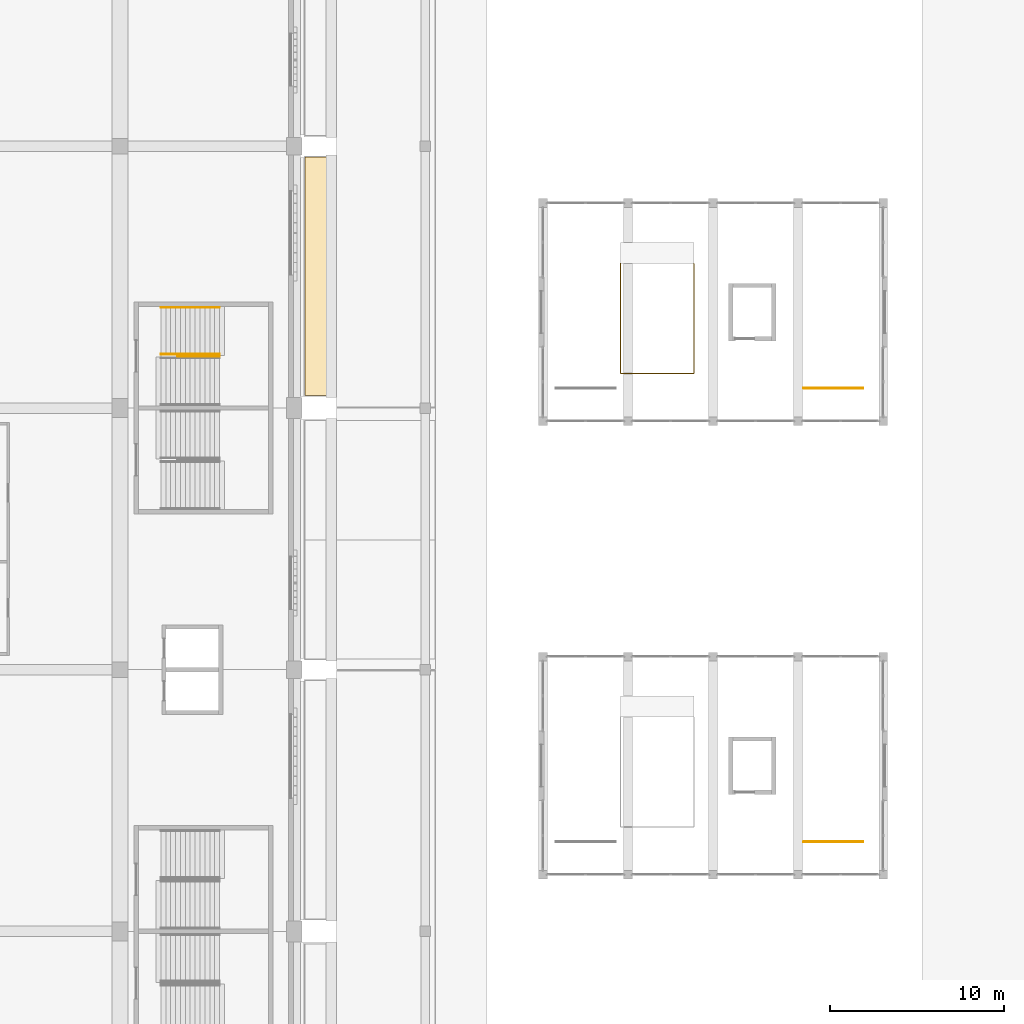
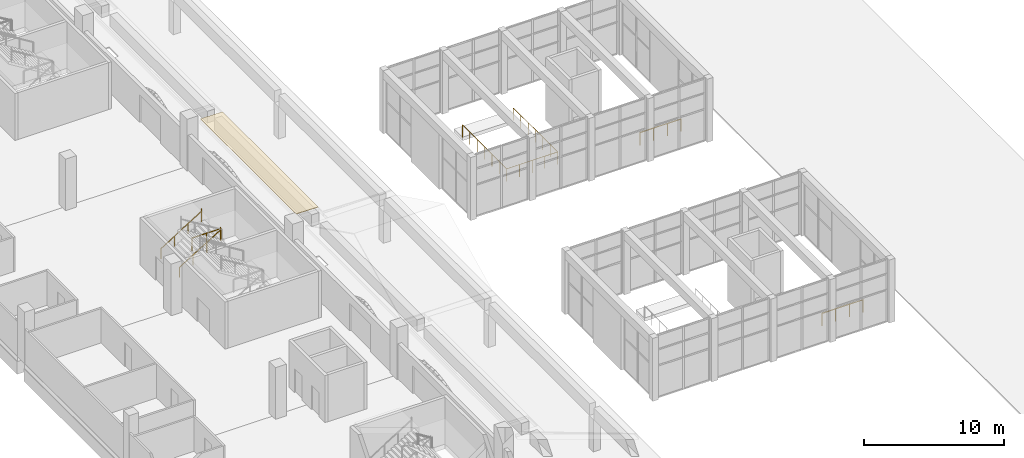
# One storey, part 163 of 175: 6 railings, 1 covering.
"""IFC4 building model written with IfcOpenShell, lengths in metres."""

from ifc_helpers import new_model, si_unit, direction, frame, origin, origin_2d, place, context, subcontext, project, spatial, polyline, circle, outline, extrude, material, layer, layer_set, type_object, element, save


model = new_model("IFC4")

# Units and contexts
model_context = context("Model", 3, precision=1e-05, world=origin(), true_north=direction((0.0, 1.0)))
body_context = subcontext(model_context, "Body", "Model", "MODEL_VIEW")
ifc_project = project(units=[si_unit("LENGTHUNIT", "METRE"), si_unit("AREAUNIT", "SQUARE_METRE"), si_unit("VOLUMEUNIT", "CUBIC_METRE"), si_unit("PLANEANGLEUNIT", "RADIAN"), si_unit("MASSUNIT", "GRAM", prefix="KILO")], contexts=[model_context])

# Site, building, storey
site_placement = place(None, origin())
site = spatial("IfcSite", under=ifc_project, at=site_placement, CompositionType="ELEMENT")
building_placement = place(site_placement, origin())
building = spatial("IfcBuilding", under=site, at=building_placement, Name="Ogive Plaza Stadium", CompositionType="ELEMENT")
storey_placement = place(building_placement, origin())
storey = spatial("IfcBuildingStorey", under=building, at=storey_placement, Name="L00", CompositionType="ELEMENT", Elevation=0.0)

# Covering
ifc_material_1 = material(Name="Zinc sheet", Category="metal")
ifc_layer = layer(ifc_material_1, 0.0400390625)
ifc_layer_set = layer_set([ifc_layer], Name="Arcade roof zinc 40")
covering_type = type_object("IfcCoveringType", Name="Arcade roof zinc 40", PredefinedType="ROOFING", material=ifc_layer_set)
covering_placement = place(storey_placement, frame((84.60009765625, 8.2099609375, 4.260009765625), z_axis=(0.016096653187, 0.0, 0.999870440485), x_axis=(0.999870440485, 0.0, -0.016096653187)))
element("IfcCovering", 1, at=covering_placement, inside=storey, type_object=covering_type, Name="Arcade roof covering 1 bay 3", PredefinedType="ROOFING", context=body_context, shape_type="SweptSolid", body=[
    extrude(outline(polyline([(0.0, 0.0), (1.820060024843635, 0.0), (1.820060024843635, 13.679931640625), (0.0, 13.679931640625), (0.0, 0.0)])), origin(), (0.0, 0.0, -1.0), 0.0400390625),
])

# Railings
ifc_material_2 = material(Name="Steel ASTM A572 Grade 50", Category="steel")
railing_type_1 = type_object("IfcRailingType", Name="Guard 1100", PredefinedType="GUARDRAIL", material=ifc_material_2)
railing_1_placement = place(storey_placement, frame((77.31005859375, 10.47509765625, 2.25)))
element("IfcRailing", 2, at=railing_1_placement, inside=storey, type_object=railing_type_1, Name="Stair well guard ST04B L00", PredefinedType="GUARDRAIL", context=body_context, shape_type="SweptSolid", body=[
    extrude(circle(Radius=0.02392578125, at=origin_2d()), frame((0.0, 0.0, 1.076171875), z_axis=(1.0, 0.0, 0.0), x_axis=(0.0, 1.0, 0.0)), (0.0, 0.0, 1.0), 2.39990234375),
    extrude(circle(Radius=0.02099609375, at=origin_2d()), origin(), (0.0, 0.0, 1.0), 1.052001953125),
    extrude(circle(Radius=0.02099609375, at=origin_2d()), frame((1.199951171875, 0.0, 0.0)), (0.0, 0.0, 1.0), 1.052001953125),
    extrude(circle(Radius=0.02099609375, at=origin_2d()), frame((2.39990234375, 0.0, 0.0)), (0.0, 0.0, 1.0), 1.052001953125),
])
ifc_material_3 = material(Name="Steel ASTM A572 Grade 50", Category="steel")
railing_type_2 = type_object("IfcRailingType", Name="Handrail 900", PredefinedType="HANDRAIL", material=ifc_material_3)
for number, where, name in (
    (3, (76.35009765625, 10.5849609375, 0.173095703125), "Handrail ST04B L00"),
    (4, (76.35009765625, 13.264892578125, 0.173095703125), "Handrail ST04B L00"),
):
    element("IfcRailing", number, at=place(storey_placement, frame(where)), inside=storey, type_object=railing_type_2, Name=name, PredefinedType="HANDRAIL", context=body_context, shape_type="SweptSolid", body=[
        extrude(circle(Radius=0.02392578125, at=origin_2d()), frame((0.0, 0.0, 0.8759765625), z_axis=(0.850606129759, 0.0, 0.525803396734), x_axis=(0.0, 1.0, 0.0)), (0.0, 0.0, 1.0), 3.949951171875),
        extrude(circle(Radius=0.02099609375, at=origin_2d()), origin(), (0.0, 0.0, 1.0), 0.851806640625),
        extrude(circle(Radius=0.02099609375, at=origin_2d()), frame((1.119873046875, 0.0, 0.6923828125)), (0.0, 0.0, 1.0), 0.851806640625),
        extrude(circle(Radius=0.02099609375, at=origin_2d()), frame((2.239990234375, 0.0, 1.384521484375)), (0.0, 0.0, 1.0), 0.851806640625),
        extrude(circle(Radius=0.02099609375, at=origin_2d()), frame((3.35986328125, 0.0, 2.076904296875)), (0.0, 0.0, 1.0), 1.10009765625),
    ])
ifc_material_4 = material(Name="Stainless steel", Category="steel")
railing_type_3 = type_object("IfcRailingType", Name="Station guard 1100", PredefinedType="GUARDRAIL", material=ifc_material_4)
railing_2_placement = place(storey_placement, frame((113.199951171875, -17.36376953125, 0.0)))
element("IfcRailing", 5, at=railing_2_placement, inside=storey, type_object=railing_type_3, Name="Station guard 1100 GR-QS2", PredefinedType="GUARDRAIL", context=body_context, shape_type="SweptSolid", body=[
    extrude(circle(Radius=0.02392578125, at=origin_2d()), frame((0.0, 0.0, 1.076171875), z_axis=(1.0, 0.0, 0.0), x_axis=(0.0, 1.0, 0.0)), (0.0, 0.0, 1.0), 3.400146484375),
    extrude(circle(Radius=0.02099609375, at=origin_2d()), origin(), (0.0, 0.0, 1.0), 1.052001953125),
    extrude(circle(Radius=0.02099609375, at=origin_2d()), frame((1.13330078125, 0.0, 0.0)), (0.0, 0.0, 1.0), 1.052001953125),
    extrude(circle(Radius=0.02099609375, at=origin_2d()), frame((2.266845703125, 0.0, 0.0)), (0.0, 0.0, 1.0), 1.052001953125),
    extrude(circle(Radius=0.02099609375, at=origin_2d()), frame((3.400146484375, 0.0, 0.0)), (0.0, 0.0, 1.0), 1.052001953125),
])
railing_3_placement = place(storey_placement, frame((102.699951171875, 15.800048828125, 0.0)))
element("IfcRailing", 6, at=railing_3_placement, inside=storey, type_object=railing_type_3, Name="Station guard 1100 GR-HH2", PredefinedType="GUARDRAIL", context=body_context, shape_type="SweptSolid", body=[
    extrude(circle(Radius=0.02392578125, at=origin_2d()), frame((0.0, 0.0, 1.076171875), z_axis=(0.0, -1.0, 0.0), x_axis=(1.0, 0.0, 0.0)), (0.0, 0.0, 1.0), 6.31591796875),
    extrude(circle(Radius=0.02392578125, at=origin_2d()), frame((0.0, -6.31591796875, 1.076171875), z_axis=(1.0, 0.0, 0.0), x_axis=(0.0, 1.0, 0.0)), (0.0, 0.0, 1.0), 4.199951171875),
    extrude(circle(Radius=0.02392578125, at=origin_2d()), frame((4.199951171875, -6.31591796875, 1.076171875), z_axis=(0.0, 1.0, 0.0), x_axis=(-1.0, 0.0, 0.0)), (0.0, 0.0, 1.0), 6.31591796875),
    extrude(circle(Radius=0.02099609375, at=origin_2d()), origin(), (0.0, 0.0, 1.0), 1.052001953125),
    extrude(circle(Radius=0.02099609375, at=origin_2d()), frame((0.0, -1.052734375, 0.0)), (0.0, 0.0, 1.0), 1.052001953125),
    extrude(circle(Radius=0.02099609375, at=origin_2d()), frame((0.0, -2.105224609375, 0.0)), (0.0, 0.0, 1.0), 1.052001953125),
    extrude(circle(Radius=0.02099609375, at=origin_2d()), frame((0.0, -3.157958984375, 0.0)), (0.0, 0.0, 1.0), 1.052001953125),
    extrude(circle(Radius=0.02099609375, at=origin_2d()), frame((0.0, -4.210693359375, 0.0)), (0.0, 0.0, 1.0), 1.052001953125),
    extrude(circle(Radius=0.02099609375, at=origin_2d()), frame((0.0, -5.26318359375, 0.0)), (0.0, 0.0, 1.0), 1.052001953125),
    extrude(circle(Radius=0.02099609375, at=origin_2d()), frame((0.0, -6.31591796875, 0.0)), (0.0, 0.0, 1.0), 1.052001953125),
    extrude(circle(Radius=0.02099609375, at=origin_2d()), frame((1.050048828125, -6.31591796875, 0.0)), (0.0, 0.0, 1.0), 1.052001953125),
    extrude(circle(Radius=0.02099609375, at=origin_2d()), frame((2.10009765625, -6.31591796875, 0.0)), (0.0, 0.0, 1.0), 1.052001953125),
    extrude(circle(Radius=0.02099609375, at=origin_2d()), frame((3.14990234375, -6.31591796875, 0.0)), (0.0, 0.0, 1.0), 1.052001953125),
    extrude(circle(Radius=0.02099609375, at=origin_2d()), frame((4.199951171875, -6.31591796875, 0.0)), (0.0, 0.0, 1.0), 1.052001953125),
    extrude(circle(Radius=0.02099609375, at=origin_2d()), frame((4.199951171875, -5.26318359375, 0.0)), (0.0, 0.0, 1.0), 1.052001953125),
    extrude(circle(Radius=0.02099609375, at=origin_2d()), frame((4.199951171875, -4.210693359375, 0.0)), (0.0, 0.0, 1.0), 1.052001953125),
    extrude(circle(Radius=0.02099609375, at=origin_2d()), frame((4.199951171875, -3.157958984375, 0.0)), (0.0, 0.0, 1.0), 1.052001953125),
    extrude(circle(Radius=0.02099609375, at=origin_2d()), frame((4.199951171875, -2.105224609375, 0.0)), (0.0, 0.0, 1.0), 1.052001953125),
    extrude(circle(Radius=0.02099609375, at=origin_2d()), frame((4.199951171875, -1.052734375, 0.0)), (0.0, 0.0, 1.0), 1.052001953125),
    extrude(circle(Radius=0.02099609375, at=origin_2d()), frame((4.199951171875, 0.0, 0.0)), (0.0, 0.0, 1.0), 1.052001953125),
])
railing_4_placement = place(storey_placement, frame((113.199951171875, 8.63623046875, 0.0)))
element("IfcRailing", 7, at=railing_4_placement, inside=storey, type_object=railing_type_3, Name="Station guard 1100 GR-QS4", PredefinedType="GUARDRAIL", context=body_context, shape_type="SweptSolid", body=[
    extrude(circle(Radius=0.02392578125, at=origin_2d()), frame((0.0, 0.0, 1.076171875), z_axis=(1.0, 0.0, 0.0), x_axis=(0.0, 1.0, 0.0)), (0.0, 0.0, 1.0), 3.400146484375),
    extrude(circle(Radius=0.02099609375, at=origin_2d()), origin(), (0.0, 0.0, 1.0), 1.052001953125),
    extrude(circle(Radius=0.02099609375, at=origin_2d()), frame((1.13330078125, 0.0, 0.0)), (0.0, 0.0, 1.0), 1.052001953125),
    extrude(circle(Radius=0.02099609375, at=origin_2d()), frame((2.266845703125, 0.0, 0.0)), (0.0, 0.0, 1.0), 1.052001953125),
    extrude(circle(Radius=0.02099609375, at=origin_2d()), frame((3.400146484375, 0.0, 0.0)), (0.0, 0.0, 1.0), 1.052001953125),
])

save(model, "model.ifc")
